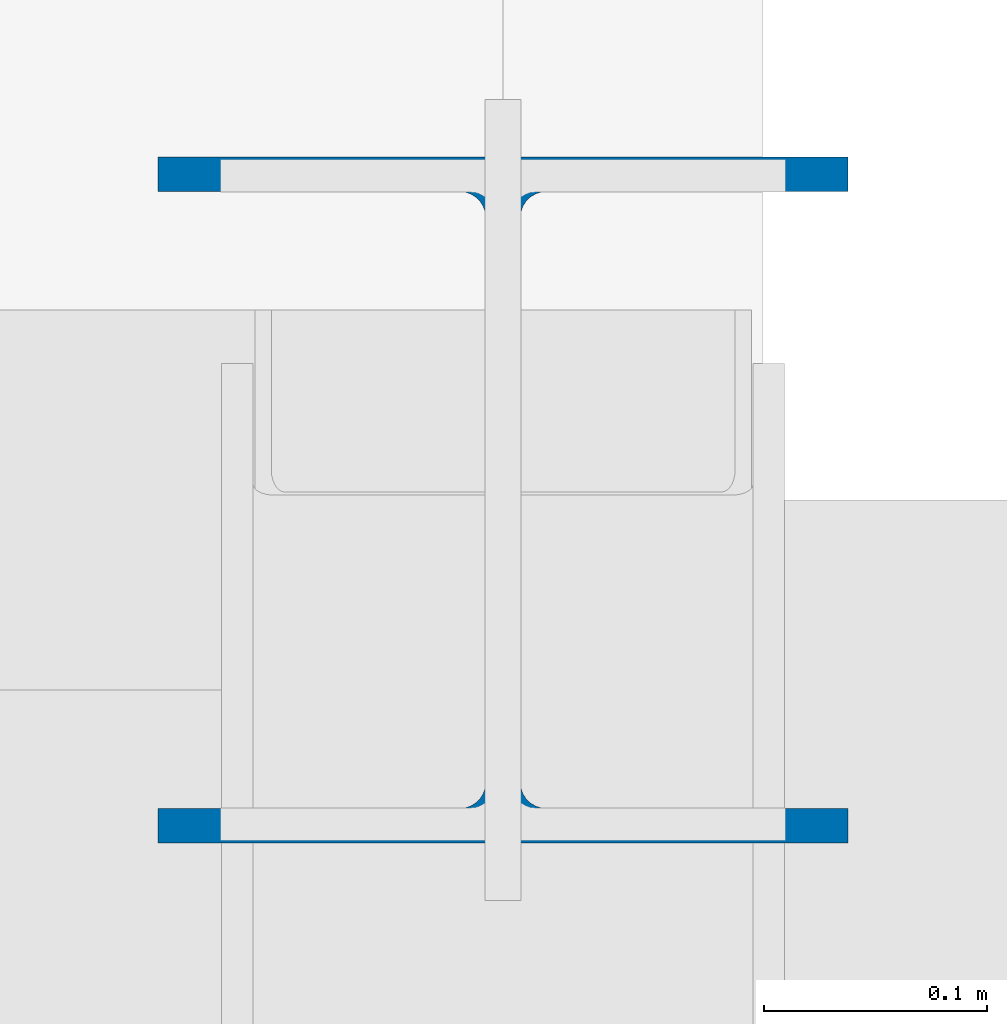
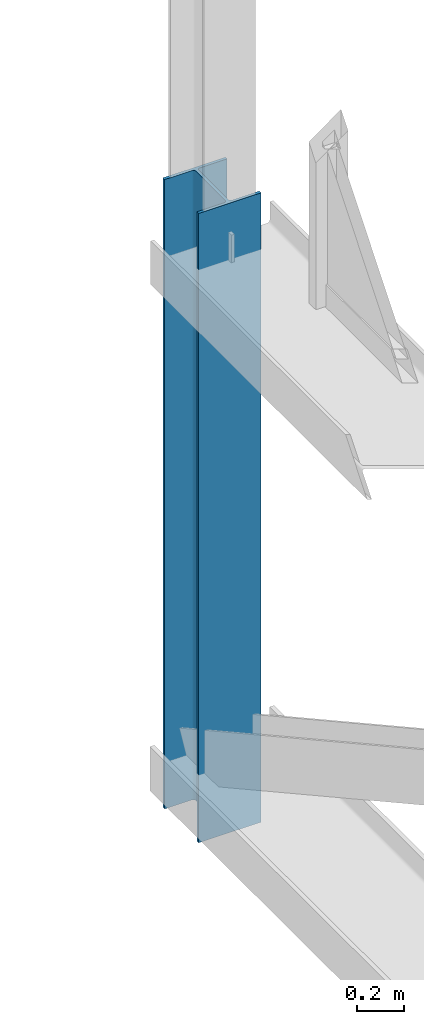
# One storey, part 10 of 101: 1 column.
"""IFC4 building model written with IfcOpenShell, lengths in metres."""

import ifcopenshell
import ifcopenshell.guid

model = None  # the IFC model being written
_history = None  # IfcOwnerHistory: only IFC2X3 demands one
_inside = {}  # id of a spatial element -> (the spatial element, [elements in it])
_under = {}  # id of a project, library or spatial element -> (it, [spatial elements below it])
_declared = {}  # id of a project -> (the project, [libraries it declares])
_typed = {}  # id of a type object -> (the type object, [elements of that type])
_made_of = {}  # id of a material, layer set ... -> (it, [elements and type objects made of it])


def new_model(schema):
    """Start an empty IFC model of exactly this schema.

    Asked for "IFC4X3", IfcOpenShell would pick the latest addendum, in which some entities
    have other attributes; the version numbers below select the first issue.
    IFC2X3 requires an IfcOwnerHistory on every rooted entity: one is made here for all.
    """
    global model, _history
    if schema == "IFC4X3":
        model = ifcopenshell.file(schema_version=(4, 3, 0, 0))
    else:
        model = ifcopenshell.file(schema=schema)
    _inside.clear()
    _under.clear()
    _declared.clear()
    _typed.clear()
    _made_of.clear()
    _history = None
    if model.schema == "IFC2X3":
        org = make("IfcOrganization", Name="unknown")
        user = make(
            "IfcPersonAndOrganization",
            ThePerson=make("IfcPerson", FamilyName="unknown"),
            TheOrganization=org,
        )
        app = make(
            "IfcApplication",
            ApplicationDeveloper=org,
            Version="unknown",
            ApplicationFullName="unknown",
            ApplicationIdentifier="unknown",
        )
        _history = make(
            "IfcOwnerHistory",
            OwningUser=user,
            OwningApplication=app,
            ChangeAction="ADDED",
            CreationDate=0,
        )
    return model


def make(cls, **values):
    """One entity of the class cls with the attributes given. An attribute that is None is left unset."""
    return model.create_entity(
        cls, **{name: value for name, value in values.items() if value is not None}
    )


def rooted(cls, **values):
    """An entity with a GlobalId (a new one), such as an element, a storey or a relation."""
    return make(cls, GlobalId=ifcopenshell.guid.new(), OwnerHistory=_history, **values)


def si_unit(unit_type, name, prefix=None):
    """IfcSIUnit, for example si_unit("LENGTHUNIT", "METRE", prefix="MILLI")."""
    return make("IfcSIUnit", UnitType=unit_type, Prefix=prefix, Name=name)


def assignment(units):
    """IfcUnitAssignment: the units of a project."""
    return None if units is None else make("IfcUnitAssignment", Units=units)


def point(xyz):
    """IfcCartesianPoint."""
    return None if xyz is None else make("IfcCartesianPoint", Coordinates=xyz)


def direction(xyz):
    """IfcDirection."""
    return None if xyz is None else make("IfcDirection", DirectionRatios=xyz)


def frame(location, z_axis=None, x_axis=None):
    """IfcAxis2Placement3D, a coordinate frame: its origin and axes. An axis left out is left unset."""
    return make(
        "IfcAxis2Placement3D",
        Location=point(location),
        Axis=direction(z_axis),
        RefDirection=direction(x_axis),
    )


def frame_2d(location, x_axis=None):
    """IfcAxis2Placement2D, a coordinate frame in the plane: its origin and x axis."""
    return make(
        "IfcAxis2Placement2D", Location=point(location), RefDirection=direction(x_axis)
    )


def origin():
    """The frame at (0, 0, 0) with its axes left unset."""
    return frame((0.0, 0.0, 0.0))


def origin_2d():
    """The frame at (0, 0) in the plane with its x axis left unset."""
    return frame_2d((0.0, 0.0))


def place(relative_to, where):
    """IfcLocalPlacement: puts the frame where relative to a parent placement (None: the world)."""
    return make(
        "IfcLocalPlacement", PlacementRelTo=relative_to, RelativePlacement=where
    )


def context(
    kind, dimensions, precision=None, world=None, true_north=None, identifier=None
):
    """IfcGeometricRepresentationContext, for example the 3D "Model" context."""
    return make(
        "IfcGeometricRepresentationContext",
        ContextIdentifier=identifier,
        ContextType=kind,
        CoordinateSpaceDimension=dimensions,
        Precision=precision,
        WorldCoordinateSystem=world,
        TrueNorth=true_north,
    )


def subcontext(parent, identifier, kind, view, scale=None):
    """IfcGeometricRepresentationSubContext, for example "Body" below "Model"."""
    return make(
        "IfcGeometricRepresentationSubContext",
        ContextIdentifier=identifier,
        ContextType=kind,
        ParentContext=parent,
        TargetScale=scale,
        TargetView=view,
    )


def project(units=None, contexts=None):
    """IfcProject with its units and contexts."""
    return rooted(
        "IfcProject",
        Name="project",
        RepresentationContexts=contexts,
        UnitsInContext=assignment(units),
    )


def spatial(cls, under=None, at=None, **own):
    """A site, building, storey or space (cls), placed at a placement, below another one or the project."""
    s = rooted(cls, ObjectPlacement=at, **own)
    if under is not None:
        _under.setdefault(under.id(), (under, []))[1].append(s)
    return s


def profile(cls, at=None, kind="AREA", **sizes):
    """A parametric profile (cls). Its sizes go by their IFC names, for example OverallWidth=200.0."""
    return make(cls, ProfileType=kind, Position=at, **sizes)


def i_section(**sizes):
    """IfcIShapeProfileDef."""
    return profile("IfcIShapeProfileDef", **sizes)


def extrude(swept, where, along, depth):
    """IfcExtrudedAreaSolid: the profile swept, set in the frame where, extruded along a direction by depth."""
    return make(
        "IfcExtrudedAreaSolid",
        SweptArea=swept,
        Position=where,
        ExtrudedDirection=direction(along),
        Depth=depth,
    )


def shape(context_of_items, identifier, shape_type, items):
    """IfcShapeRepresentation: the items that make up one representation, for example the "Body"."""
    return make(
        "IfcShapeRepresentation",
        ContextOfItems=context_of_items,
        RepresentationIdentifier=identifier,
        RepresentationType=shape_type,
        Items=items,
    )


def material(Name=None, Category=None):
    """IfcMaterial."""
    return make("IfcMaterial", Name=Name, Category=Category)


def material_profile(
    of_material, cross_section, Name=None, Category=None, Priority=None
):
    """IfcMaterialProfile: a cross section and its material."""
    return make(
        "IfcMaterialProfile",
        Name=Name,
        Material=of_material,
        Profile=cross_section,
        Priority=Priority,
        Category=Category,
    )


def profile_set(profiles, Name=None, composite=None):
    """IfcMaterialProfileSet."""
    return make(
        "IfcMaterialProfileSet",
        Name=Name,
        MaterialProfiles=profiles,
        CompositeProfile=composite,
    )


def made_of(thing, what):
    """Note that an element or type object is made of a material, layer set ...; save() writes the relation."""
    if what is not None:
        _made_of.setdefault(what.id(), (what, []))[1].append(thing)
    return thing


def type_object(cls, material=None, **own):
    """A type object (cls), such as IfcWallType, which elements share."""
    return made_of(rooted(cls, **own), material)


def element(
    cls,
    number,
    at=None,
    inside=None,
    cuts=None,
    type_object=None,
    material=None,
    context=None,
    identifier="Body",
    shape_type=None,
    held_by="IfcProductDefinitionShape",
    body=None,
    shapes=None,
    **own,
):
    """One element of the class cls, such as IfcWall. Its Tag is "e" and its number.

    at: its placement. inside: the storey or other place that contains it. cuts: it is an
    opening in that element (IfcRelVoidsElement). A single representation is given by context,
    identifier, shape_type and body (its items); several are given by shapes. held_by: the class
    of the entity that holds the representations. save() writes the other relations.
    """
    e = rooted(cls, Tag="e%d" % number, ObjectPlacement=at, **own)
    if body is not None:
        shapes = [shape(context, identifier, shape_type, body)]
    if shapes is not None:
        e.Representation = make(held_by, Representations=shapes)
    if inside is not None:
        _inside.setdefault(inside.id(), (inside, []))[1].append(e)
    if cuts is not None:
        rooted(
            "IfcRelVoidsElement", RelatingBuildingElement=cuts, RelatedOpeningElement=e
        )
    if type_object is not None:
        _typed.setdefault(type_object.id(), (type_object, []))[1].append(e)
    return made_of(e, material)


def aggregate(whole, parts):
    """IfcRelAggregates: a whole, such as a stair, and the parts it consists of."""
    return rooted("IfcRelAggregates", RelatingObject=whole, RelatedObjects=parts)


def save(model, path):
    """Write the relations noted so far, then the file.

    IfcRelAggregates (storeys below a building ...), IfcRelContainedInSpatialStructure (elements
    in a storey), IfcRelDefinesByType, IfcRelAssociatesMaterial and IfcRelDeclares: one each for
    every whole, place, type object, material and project.
    """
    for whole, parts in _under.values():
        aggregate(whole, parts)
    for where, things in _inside.values():
        rooted(
            "IfcRelContainedInSpatialStructure",
            RelatedElements=things,
            RelatingStructure=where,
        )
    for kind, things in _typed.values():
        rooted("IfcRelDefinesByType", RelatedObjects=things, RelatingType=kind)
    for what, things in _made_of.values():
        rooted("IfcRelAssociatesMaterial", RelatedObjects=things, RelatingMaterial=what)
    for by, libraries in _declared.values():
        rooted("IfcRelDeclares", RelatingContext=by, RelatedDefinitions=libraries)
    model.write(path)


model = new_model("IFC4")

# Units and contexts
model_context = context("Model", 3, precision=1e-05, world=origin(), true_north=direction((0.0, 1.0)))
body_context = subcontext(model_context, "Body", "Model", "MODEL_VIEW")
ifc_project = project(units=[si_unit("LENGTHUNIT", "METRE"), si_unit("AREAUNIT", "SQUARE_METRE"), si_unit("VOLUMEUNIT", "CUBIC_METRE"), si_unit("PLANEANGLEUNIT", "RADIAN"), si_unit("MASSUNIT", "GRAM", prefix="KILO"), si_unit("THERMODYNAMICTEMPERATUREUNIT", "KELVIN")], contexts=[model_context])

# Site, building, storey
site_placement = place(None, origin())
site = spatial("IfcSite", under=ifc_project, at=site_placement, CompositionType="ELEMENT")
building_placement = place(site_placement, origin())
building = spatial("IfcBuilding", under=site, at=building_placement, Name="Thalorik Housing Commons", CompositionType="ELEMENT")
storey_placement = place(building_placement, frame((0.0, 0.0, 8.10009765625)))
storey = spatial("IfcBuildingStorey", under=building, at=storey_placement, Name="L02", CompositionType="ELEMENT", Elevation=8.10009765625)

# Column
ifc_material = material(Name="Steel S355", Category="steel")
ifc_material_profile = material_profile(ifc_material, i_section(OverallWidth=0.31005859375, OverallDepth=0.30810546875, WebThickness=0.015380859375, FlangeThickness=0.015380859375, FilletRadius=0.011962890625, at=origin_2d()), Name="HP310x110", Category="steel")
ifc_profile_set = profile_set([ifc_material_profile], Name="Steel S355")
column_type = type_object("IfcColumnType", Name="STR-COL-HP310", PredefinedType="COLUMN", material=ifc_profile_set)
column_placement = place(storey_placement, frame((115.199951171875, 86.39990234375, 0.0), z_axis=(0.0, 0.0, 1.0), x_axis=(1.0, 0.0, 0.0)))
element("IfcColumn", 1, at=column_placement, inside=storey, type_object=column_type, Name="L02 Hall Sawtooth Bearing Column 8N", PredefinedType="COLUMN", context=body_context, shape_type="SweptSolid", body=[
    extrude(i_section(OverallWidth=0.31005859375, OverallDepth=0.30810546875, WebThickness=0.015380859375, FlangeThickness=0.015380859375, FilletRadius=0.011962890625, at=origin_2d()), origin(), (0.0, 0.0, 1.0), 3.2998046875),
])

save(model, "model.ifc")
